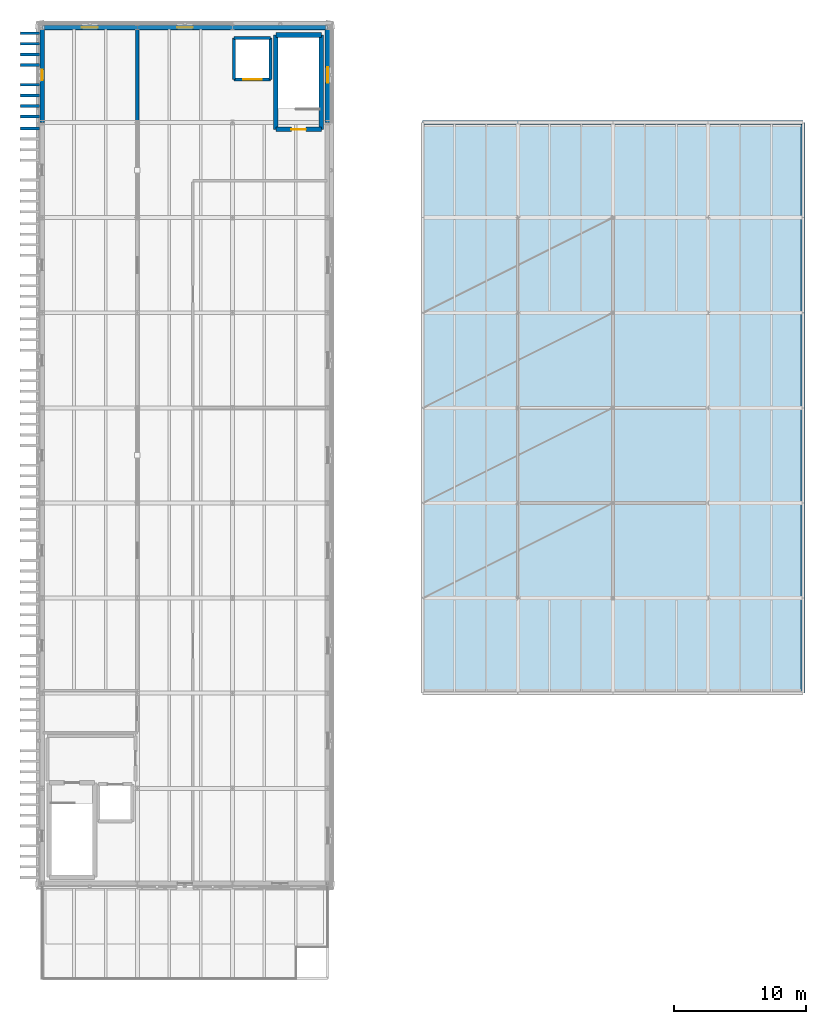
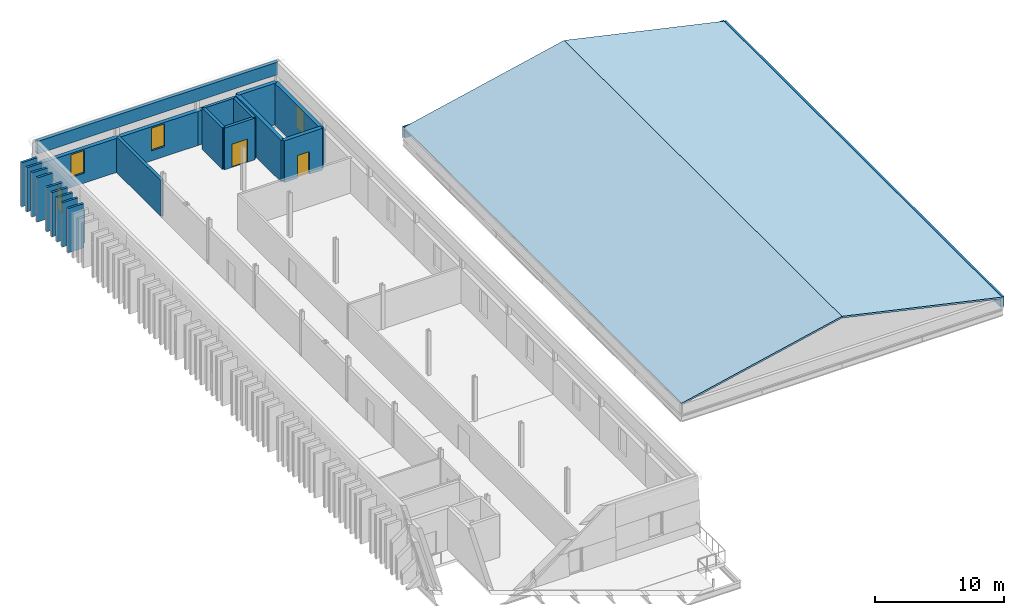
# One storey, part 34 of 44: 26 walls, 4 windows, 2 doors, 2 roofs, 6 openings.
"""IFC4 building model written with IfcOpenShell, lengths in metres."""

from ifc_helpers import new_model, si_unit, direction, frame, frame_2d, origin, place, context, subcontext, project, spatial, polyline, rectangle, outline, extrude, material, layer, layer_set, type_object, element, fill, save


model = new_model("IFC4")

# Units and contexts
model_context = context("Model", 3, precision=1e-05, world=origin(), true_north=direction((0.0, 1.0)))
body_context = subcontext(model_context, "Body", "Model", "MODEL_VIEW")
ifc_project = project(units=[si_unit("LENGTHUNIT", "METRE"), si_unit("AREAUNIT", "SQUARE_METRE"), si_unit("VOLUMEUNIT", "CUBIC_METRE"), si_unit("PLANEANGLEUNIT", "RADIAN"), si_unit("MASSUNIT", "GRAM", prefix="KILO")], contexts=[model_context])

# Site, building, storey
site_placement = place(None, origin())
site = spatial("IfcSite", under=ifc_project, at=site_placement, CompositionType="ELEMENT")
building_placement = place(site_placement, origin())
building = spatial("IfcBuilding", under=site, at=building_placement, Name="Narikvali Park Central Library", CompositionType="ELEMENT")
storey_placement = place(building_placement, frame((0.0, 0.0, 22.800048828125)))
storey = spatial("IfcBuildingStorey", under=building, at=storey_placement, Name="L05", CompositionType="ELEMENT", Elevation=22.800048828125)

# Walls
ifc_material_1 = material(Name="Kiln-Fired Terracotta Red Brick Masonry", Category="masonry")
ifc_layer_1 = layer(ifc_material_1, 0.199951171875, Name="Kiln-Fired Terracotta Red Brick Masonry")
ifc_layer_set_1 = layer_set([ifc_layer_1], Name="Kiln-Fired Terracotta Red Brick Masonry")
wall_type_1 = type_object("IfcWallType", Name="Kiln-Fired Red Brick Vertical Fin Wall 200", PredefinedType="SOLIDWALL", material=ifc_layer_set_1)
for number, where, z_axis, x_axis, name in (
    (1, (-1.659912109375, 100.35009765625, 0.0), (0.0, 0.0, 1.0), (1.0, 0.0, 0.0), "West Stacks Red Brick Vertical Fin Pier 456"),
    (2, (-1.659912109375, 101.25, 0.0), (0.0, 0.0, 1.0), (1.0, 0.0, 0.0), "West Stacks Red Brick Vertical Fin Pier 462"),
    (3, (-1.659912109375, 102.050048828125, 0.0), (0.0, 0.0, 1.0), (1.0, 0.0, 0.0), "West Stacks Red Brick Vertical Fin Pier 468"),
    (4, (-1.659912109375, 102.85009765625, 0.0), (0.0, 0.0, 1.0), (1.0, 0.0, 0.0), "West Stacks Red Brick Vertical Fin Pier 474"),
    (5, (-1.659912109375, 103.64990234375, 0.0), (0.0, 0.0, 1.0), (1.0, 0.0, 0.0), "West Stacks Red Brick Vertical Fin Pier 480"),
    (6, (-1.659912109375, 105.14990234375, 0.0), (0.0, 0.0, 1.0), (1.0, 0.0, 0.0), "West Stacks Red Brick Vertical Fin Pier 486"),
    (7, (-1.659912109375, 105.949951171875, 0.0), (0.0, 0.0, 1.0), (1.0, 0.0, 0.0), "West Stacks Red Brick Vertical Fin Pier 492"),
    (8, (-1.659912109375, 106.75, 0.0), (0.0, 0.0, 1.0), (1.0, 0.0, 0.0), "West Stacks Red Brick Vertical Fin Pier 498"),
    (9, (-1.659912109375, 107.550048828125, 0.0), (0.0, 0.0, 1.0), (1.0, 0.0, 0.0), "West Stacks Red Brick Vertical Fin Pier 504"),
):
    element("IfcWall", number, at=place(storey_placement, frame(where, z_axis=z_axis, x_axis=x_axis)), inside=storey, type_object=wall_type_1, Name=name, PredefinedType="SOLIDWALL", context=body_context, shape_type="SweptSolid", body=[
        extrude(rectangle(XDim=1.43994140625, YDim=0.199951171875, at=frame_2d((0.719970703125, 0.0))), origin(), (0.0, 0.0, 1.0), 4.199951171875),
    ])
ifc_material_2 = material(Name="White Honed Limestone over Concrete C35/45", Category="masonry")
ifc_layer_2 = layer(ifc_material_2, 0.300048828125, Name="White Honed Limestone over Concrete C35/45")
ifc_layer_set_2 = layer_set([ifc_layer_2], Name="White Honed Limestone over Concrete C35/45")
wall_type_2 = type_object("IfcWallType", Name="Limestone Coping Parapet Wall 300", PredefinedType="PARAPET", material=ifc_layer_set_2)
wall_1_placement = place(storey_placement, frame((57.60009765625, 57.60009765625, 0.0), z_axis=(0.0, 0.0, 1.0), x_axis=(0.0, 1.0, 0.0)))
element("IfcWall", 10, at=wall_1_placement, inside=storey, type_object=wall_type_2, Name="V4 L05 Roof Limestone Parapet E", PredefinedType="PARAPET", context=body_context, shape_type="SweptSolid", body=[
    extrude(rectangle(XDim=43.199951171875, YDim=0.300048828125, at=frame_2d((21.60009765625, 0.0))), origin(), (0.0, 0.0, 1.0), 0.949951171875),
])
wall_2_placement = place(storey_placement, frame((57.60009765625, 100.800048828125, 0.0), z_axis=(0.0, 0.0, 1.0), x_axis=(-1.0, 0.0, 0.0)))
element("IfcWall", 11, at=wall_2_placement, inside=storey, type_object=wall_type_2, Name="V4 L05 Roof Limestone Parapet N", PredefinedType="PARAPET", context=body_context, shape_type="SweptSolid", body=[
    extrude(rectangle(XDim=28.800048828125, YDim=0.300048828125, at=frame_2d((14.39990234375, 0.0))), origin(), (0.0, 0.0, 1.0), 0.949951171875),
])
wall_3_placement = place(storey_placement, frame((21.60009765625, 108.0, 4.199951171875), z_axis=(0.0, 0.0, 1.0), x_axis=(-1.0, 0.0, 0.0)))
element("IfcWall", 12, at=wall_3_placement, inside=storey, type_object=wall_type_2, Name="V5 Roof Roof Limestone Parapet N", PredefinedType="PARAPET", context=body_context, shape_type="SweptSolid", body=[
    extrude(rectangle(XDim=21.60009765625, YDim=0.300048828125, at=frame_2d((10.800048828125, 0.0))), origin(), (0.0, 0.0, 1.0), 1.199951171875),
])
ifc_material_3 = material(Name="High-Density Concrete Blockwork C35/45", Category="masonry")
ifc_layer_3 = layer(ifc_material_3, 0.27001953125, Name="High-Density Concrete Blockwork C35/45")
ifc_layer_set_3 = layer_set([ifc_layer_3], Name="High-Density Concrete Blockwork C35/45")
wall_type_3 = type_object("IfcWallType", Name="Rare Books Vault Partition Wall 270", PredefinedType="SOLIDWALL", material=ifc_layer_set_3)
wall_4_placement = place(storey_placement, frame((7.199951171875, 100.964111328125, 0.0), z_axis=(0.0, 0.0, 1.0), x_axis=(0.0, 1.0, 0.0)))
element("IfcWall", 13, at=wall_4_placement, inside=storey, type_object=wall_type_3, Name="Rare Books Climate Vault L05 Partition E", PredefinedType="SOLIDWALL", context=body_context, shape_type="SweptSolid", body=[
    extrude(rectangle(XDim=6.871826171875, YDim=0.27001953125, at=frame_2d((3.43603515625, 0.0))), origin(), (0.0, 0.0, 1.0), 3.405029296875),
])

# Wall, opening, door
ifc_material_4 = material(Name="Concrete C40/50", Category="concrete")
ifc_layer_4 = layer(ifc_material_4, 0.35009765625, Name="Concrete C40/50")
ifc_layer_set_4 = layer_set([ifc_layer_4], Name="Concrete C40/50")
wall_type_4 = type_object("IfcWallType", Name="Reinforced Concrete Core Shear Wall 350", PredefinedType="SHEAR", material=ifc_layer_set_4)
wall_5_placement = place(storey_placement, frame((17.679931640625, 100.280029296875, 0.0), z_axis=(0.0, 0.0, 1.0), x_axis=(1.0, 0.0, 0.0)))
wall_5 = element("IfcWall", 14, at=wall_5_placement, inside=storey, type_object=wall_type_4, Name="C5B L05 Stair Core Shear Wall S", PredefinedType="SHEAR", context=body_context, shape_type="SweptSolid", body=[
    extrude(rectangle(XDim=3.440185546875, YDim=0.35009765625, at=frame_2d((1.72021484375, 0.0))), origin(), (0.0, 0.0, 1.0), 3.9599609375),
])
opening_1_placement = place(wall_5_placement, frame((1.169921875, 0.0, 0.0)))
opening_1 = element("IfcOpeningElement", 15, at=opening_1_placement, cuts=wall_5, Name="Opening SD-056", PredefinedType="OPENING", context=body_context, shape_type="SweptSolid", body=[
    extrude(rectangle(XDim=1.10009765625, YDim=2.14990234375, at=frame_2d((0.550048828125, 1.074951171875))), frame((0.0, 0.18701171875, 0.0), z_axis=(0.0, -1.0, 0.0), x_axis=(1.0, 0.0, 0.0)), (0.0, 0.0, 1.0), 0.3740234375),
])
ifc_material_5 = material(Name="Powder-Coated Steel S275 Fire Leaf", Category="steel")
door_type_1 = type_object("IfcDoorType", Name="Stair Core Smoke-Control Fire Door 1100x2150", OperationType="SINGLE_SWING_LEFT", PredefinedType="DOOR", material=ifc_material_5)
door_1_placement = place(opening_1_placement, frame((1.10009765625, 0.0, 0.0), z_axis=(0.0, 0.0, 1.0), x_axis=(-1.0, 0.0, 0.0)))
door_1 = element("IfcDoor", 16, at=door_1_placement, inside=storey, type_object=door_type_1, Name="ST-10 L05 Stair Exit Door SD-056", OperationType="SINGLE_SWING_RIGHT", OverallHeight=2.14990234375, OverallWidth=1.10009765625, PredefinedType="DOOR", context=body_context, shape_type="SweptSolid", body=[
    extrude(rectangle(XDim=1.10009765625, YDim=2.14990234375, at=frame_2d((0.550048828125, 1.074951171875))), frame((0.0, 0.02490234375, 0.0), z_axis=(0.0, -1.0, 0.0), x_axis=(1.0, 0.0, 0.0)), (0.0, 0.0, 1.0), 0.050048828125),
])
fill(opening_1, door_1)

# Walls
wall_6_placement = place(storey_placement, frame((21.1201171875, 100.280029296875, 0.0), z_axis=(0.0, 0.0, 1.0), x_axis=(0.0, 1.0, 0.0)))
element("IfcWall", 17, at=wall_6_placement, inside=storey, type_object=wall_type_4, Name="C5B L05 Stair Core Shear Wall E", PredefinedType="SHEAR", context=body_context, shape_type="SweptSolid", body=[
    extrude(rectangle(XDim=7.139892578125, YDim=0.35009765625, at=frame_2d((3.56982421875, 0.0))), origin(), (0.0, 0.0, 1.0), 3.9599609375),
])
wall_7_placement = place(storey_placement, frame((21.1201171875, 107.419921875, 0.0), z_axis=(0.0, 0.0, 1.0), x_axis=(-1.0, 0.0, 0.0)))
element("IfcWall", 18, at=wall_7_placement, inside=storey, type_object=wall_type_4, Name="C5B L05 Stair Core Shear Wall N", PredefinedType="SHEAR", context=body_context, shape_type="SweptSolid", body=[
    extrude(rectangle(XDim=3.440185546875, YDim=0.35009765625, at=frame_2d((1.72021484375, 0.0))), origin(), (0.0, 0.0, 1.0), 3.9599609375),
])
wall_8_placement = place(storey_placement, frame((17.679931640625, 107.419921875, 0.0), z_axis=(0.0, 0.0, 1.0), x_axis=(0.0, -1.0, 0.0)))
element("IfcWall", 19, at=wall_8_placement, inside=storey, type_object=wall_type_4, Name="C5B L05 Stair Core Shear Wall W", PredefinedType="SHEAR", context=body_context, shape_type="SweptSolid", body=[
    extrude(rectangle(XDim=7.139892578125, YDim=0.35009765625, at=frame_2d((3.56982421875, 0.0))), origin(), (0.0, 0.0, 1.0), 3.9599609375),
])

# Wall, opening, door
ifc_layer_5 = layer(ifc_material_4, 0.25, Name="Concrete C40/50")
ifc_layer_set_5 = layer_set([ifc_layer_5], Name="Concrete C40/50")
wall_type_5 = type_object("IfcWallType", Name="Reinforced Concrete Lift Shaft Wall 250", PredefinedType="SHEAR", material=ifc_layer_set_5)
wall_9_placement = place(storey_placement, frame((14.52001953125, 104.050048828125, 0.0), z_axis=(0.0, 0.0, 1.0), x_axis=(1.0, 0.0, 0.0)))
wall_9 = element("IfcWall", 20, at=wall_9_placement, inside=storey, type_object=wall_type_5, Name="GL-02 L05 Lift Shaft Wall S", PredefinedType="SHEAR", context=body_context, shape_type="SweptSolid", body=[
    extrude(rectangle(XDim=2.75, YDim=0.25, at=frame_2d((1.375, 0.0))), origin(), (0.0, 0.0, 1.0), 3.9599609375),
])
opening_2_placement = place(wall_9_placement, frame((0.675048828125, 0.0, 0.0)))
opening_2 = element("IfcOpeningElement", 21, at=opening_2_placement, cuts=wall_9, Name="Opening LD-047", PredefinedType="OPENING", context=body_context, shape_type="SweptSolid", body=[
    extrude(rectangle(XDim=1.39990234375, YDim=2.199951171875, at=frame_2d((0.699951171875, 1.10009765625))), frame((0.0, 0.136962890625, 0.0), z_axis=(0.0, -1.0, 0.0), x_axis=(1.0, 0.0, 0.0)), (0.0, 0.0, 1.0), 0.27392578125),
])
ifc_material_6 = material(Name="Brushed Stainless Steel S355", Category="steel")
door_type_2 = type_object("IfcDoorType", Name="Book Goods Lift Sliding Landing Door 1400x2200", OperationType="DOUBLE_DOOR_SLIDING", PredefinedType="DOOR", material=ifc_material_6)
door_2_placement = place(opening_2_placement, origin())
door_2 = element("IfcDoor", 22, at=door_2_placement, inside=storey, type_object=door_type_2, Name="GL-02 L05 Lift Landing Sliding Door LD-047", OperationType="DOUBLE_DOOR_SLIDING", OverallHeight=2.199951171875, OverallWidth=1.39990234375, PredefinedType="DOOR", context=body_context, shape_type="SweptSolid", body=[
    extrude(rectangle(XDim=1.39990234375, YDim=2.199951171875, at=frame_2d((0.699951171875, 1.10009765625))), frame((0.0, 0.02490234375, 0.0), z_axis=(0.0, -1.0, 0.0), x_axis=(1.0, 0.0, 0.0)), (0.0, 0.0, 1.0), 0.050048828125),
])
fill(opening_2, door_2)

# Walls
wall_10_placement = place(storey_placement, frame((17.27001953125, 104.050048828125, 0.0), z_axis=(0.0, 0.0, 1.0), x_axis=(0.0, 1.0, 0.0)))
element("IfcWall", 23, at=wall_10_placement, inside=storey, type_object=wall_type_5, Name="GL-02 L05 Lift Shaft Wall E", PredefinedType="SHEAR", context=body_context, shape_type="SweptSolid", body=[
    extrude(rectangle(XDim=3.14990234375, YDim=0.25, at=frame_2d((1.574951171875, 0.0))), origin(), (0.0, 0.0, 1.0), 3.9599609375),
])
wall_11_placement = place(storey_placement, frame((17.27001953125, 107.199951171875, 0.0), z_axis=(0.0, 0.0, 1.0), x_axis=(-1.0, 0.0, 0.0)))
element("IfcWall", 24, at=wall_11_placement, inside=storey, type_object=wall_type_5, Name="GL-02 L05 Lift Shaft Wall N", PredefinedType="SHEAR", context=body_context, shape_type="SweptSolid", body=[
    extrude(rectangle(XDim=2.75, YDim=0.25, at=frame_2d((1.375, 0.0))), origin(), (0.0, 0.0, 1.0), 3.9599609375),
])
wall_12_placement = place(storey_placement, frame((14.52001953125, 107.199951171875, 0.0), z_axis=(0.0, 0.0, 1.0), x_axis=(0.0, -1.0, 0.0)))
element("IfcWall", 25, at=wall_12_placement, inside=storey, type_object=wall_type_5, Name="GL-02 L05 Lift Shaft Wall W", PredefinedType="SHEAR", context=body_context, shape_type="SweptSolid", body=[
    extrude(rectangle(XDim=3.14990234375, YDim=0.25, at=frame_2d((1.574951171875, 0.0))), origin(), (0.0, 0.0, 1.0), 3.9599609375),
])

# Wall, opening, window
ifc_layer_6 = layer(ifc_material_2, 0.360107421875, Name="White Honed Limestone over Concrete C35/45")
ifc_layer_set_6 = layer_set([ifc_layer_6], Name="White Honed Limestone over Concrete C35/45")
wall_type_6 = type_object("IfcWallType", Name="White Limestone Attic Clerestory Wall 360", PredefinedType="SOLIDWALL", material=ifc_layer_set_6)
wall_13_placement = place(storey_placement, frame((21.60009765625, 100.800048828125, 0.0), z_axis=(0.0, 0.0, 1.0), x_axis=(0.0, 1.0, 0.0)))
wall_13 = element("IfcWall", 26, at=wall_13_placement, inside=storey, type_object=wall_type_6, Name="V5 L05 E Exterior Limestone Wall B09", PredefinedType="SOLIDWALL", context=body_context, shape_type="SweptSolid", body=[
    extrude(rectangle(XDim=7.035888671875, YDim=0.360107421875, at=frame_2d((3.51806640625, 0.0))), origin(), (0.0, 0.0, 1.0), 3.239990234375),
])
opening_3_placement = place(wall_13_placement, frame((3.0, 0.0, 0.949951171875)))
opening_3 = element("IfcOpeningElement", 27, at=opening_3_placement, cuts=wall_13, Name="Opening WIN-0336", PredefinedType="OPENING", context=body_context, shape_type="SweptSolid", body=[
    extrude(rectangle(XDim=1.199951171875, YDim=2.14990234375, at=frame_2d((0.60009765625, 1.074951171875))), frame((0.0, 0.19189453125, 0.0), z_axis=(0.0, -1.0, 0.0), x_axis=(1.0, 0.0, 0.0)), (0.0, 0.0, 1.0), 0.384033203125),
])
ifc_material_7 = material(Name="Anodised Bronze Aluminium and Low-E Triple Glazing", Category="aluminium")
window_type_1 = type_object("IfcWindowType", Name="Stacks Archive Deep-Reveal Punched Window 1200x2150", PartitioningType="SINGLE_PANEL", PredefinedType="WINDOW", material=ifc_material_7)
window_1_placement = place(opening_3_placement, origin())
window_1 = element("IfcWindow", 28, at=window_1_placement, inside=storey, type_object=window_type_1, Name="V5 L05 E Deep-Reveal Window WIN-0336", OverallHeight=2.14990234375, OverallWidth=1.199951171875, PartitioningType="SINGLE_PANEL", PredefinedType="WINDOW", context=body_context, shape_type="SweptSolid", body=[
    extrude(rectangle(XDim=1.199951171875, YDim=2.14990234375, at=frame_2d((0.60009765625, 1.074951171875))), frame((0.0, 0.030029296875, 0.0), z_axis=(0.0, -1.0, 0.0), x_axis=(1.0, 0.0, 0.0)), (0.0, 0.0, 1.0), 0.06005859375),
])
fill(opening_3, window_1)

# Wall
wall_14_placement = place(storey_placement, frame((21.446044921875, 108.0, 0.0), z_axis=(0.0, 0.0, 1.0), x_axis=(-1.0, 0.0, 0.0)))
element("IfcWall", 29, at=wall_14_placement, inside=storey, type_object=wall_type_6, Name="V5 L05 N Exterior Limestone Wall B01", PredefinedType="SOLIDWALL", context=body_context, shape_type="SweptSolid", body=[
    extrude(rectangle(XDim=7.046142578125, YDim=0.360107421875, at=frame_2d((3.52294921875, 0.0))), origin(), (0.0, 0.0, 1.0), 3.239990234375),
])

# Wall, opening, window
wall_15_placement = place(storey_placement, frame((14.39990234375, 108.0, 0.0), z_axis=(0.0, 0.0, 1.0), x_axis=(-1.0, 0.0, 0.0)))
wall_15 = element("IfcWall", 30, at=wall_15_placement, inside=storey, type_object=wall_type_6, Name="V5 L05 N Exterior Limestone Wall B02", PredefinedType="SOLIDWALL", context=body_context, shape_type="SweptSolid", body=[
    extrude(rectangle(XDim=7.199951171875, YDim=0.360107421875, at=frame_2d((3.60009765625, 0.0))), origin(), (0.0, 0.0, 1.0), 3.239990234375),
])
opening_4_placement = place(wall_15_placement, frame((3.0, 0.0, 0.949951171875)))
opening_4 = element("IfcOpeningElement", 31, at=opening_4_placement, cuts=wall_15, Name="Opening WIN-0337", PredefinedType="OPENING", context=body_context, shape_type="SweptSolid", body=[
    extrude(rectangle(XDim=1.199951171875, YDim=2.14990234375, at=frame_2d((0.60009765625, 1.074951171875))), frame((0.0, 0.19189453125, 0.0), z_axis=(0.0, -1.0, 0.0), x_axis=(1.0, 0.0, 0.0)), (0.0, 0.0, 1.0), 0.384033203125),
])
window_2_placement = place(opening_4_placement, origin())
window_2 = element("IfcWindow", 32, at=window_2_placement, inside=storey, type_object=window_type_1, Name="V5 L05 N Deep-Reveal Window WIN-0337", OverallHeight=2.14990234375, OverallWidth=1.199951171875, PartitioningType="SINGLE_PANEL", PredefinedType="WINDOW", context=body_context, shape_type="SweptSolid", body=[
    extrude(rectangle(XDim=1.199951171875, YDim=2.14990234375, at=frame_2d((0.60009765625, 1.074951171875))), frame((0.0, 0.030029296875, 0.0), z_axis=(0.0, -1.0, 0.0), x_axis=(1.0, 0.0, 0.0)), (0.0, 0.0, 1.0), 0.06005859375),
])
fill(opening_4, window_2)

wall_16_placement = place(storey_placement, frame((7.199951171875, 108.0, 0.0), z_axis=(0.0, 0.0, 1.0), x_axis=(-1.0, 0.0, 0.0)))
wall_16 = element("IfcWall", 33, at=wall_16_placement, inside=storey, type_object=wall_type_6, Name="V5 L05 N Exterior Limestone Wall B03", PredefinedType="SOLIDWALL", context=body_context, shape_type="SweptSolid", body=[
    extrude(rectangle(XDim=7.0458984375, YDim=0.360107421875, at=frame_2d((3.52294921875, 0.0))), origin(), (0.0, 0.0, 1.0), 3.239990234375),
])
opening_5_placement = place(wall_16_placement, frame((3.0, 0.0, 0.949951171875)))
opening_5 = element("IfcOpeningElement", 34, at=opening_5_placement, cuts=wall_16, Name="Opening WIN-0338", PredefinedType="OPENING", context=body_context, shape_type="SweptSolid", body=[
    extrude(rectangle(XDim=1.199951171875, YDim=2.14990234375, at=frame_2d((0.60009765625, 1.074951171875))), frame((0.0, 0.19189453125, 0.0), z_axis=(0.0, -1.0, 0.0), x_axis=(1.0, 0.0, 0.0)), (0.0, 0.0, 1.0), 0.384033203125),
])
window_3_placement = place(opening_5_placement, origin())
window_3 = element("IfcWindow", 35, at=window_3_placement, inside=storey, type_object=window_type_1, Name="V5 L05 N Deep-Reveal Window WIN-0338", OverallHeight=2.14990234375, OverallWidth=1.199951171875, PartitioningType="SINGLE_PANEL", PredefinedType="WINDOW", context=body_context, shape_type="SweptSolid", body=[
    extrude(rectangle(XDim=1.199951171875, YDim=2.14990234375, at=frame_2d((0.60009765625, 1.074951171875))), frame((0.0, 0.030029296875, 0.0), z_axis=(0.0, -1.0, 0.0), x_axis=(1.0, 0.0, 0.0)), (0.0, 0.0, 1.0), 0.06005859375),
])
fill(opening_5, window_3)

wall_17_placement = place(storey_placement, frame((0.0, 107.8359375, 0.0), z_axis=(0.0, 0.0, 1.0), x_axis=(0.0, -1.0, 0.0)))
wall_17 = element("IfcWall", 36, at=wall_17_placement, inside=storey, type_object=wall_type_6, Name="V5 L05 W Exterior Limestone Wall B01", PredefinedType="SOLIDWALL", context=body_context, shape_type="SweptSolid", body=[
    extrude(rectangle(XDim=7.035888671875, YDim=0.360107421875, at=frame_2d((3.51806640625, 0.0))), origin(), (0.0, 0.0, 1.0), 3.079833984375),
])
opening_6_placement = place(wall_17_placement, frame((3.035888671875, 0.0, 0.949951171875)))
opening_6 = element("IfcOpeningElement", 37, at=opening_6_placement, cuts=wall_17, Name="Opening WIN-0339", PredefinedType="OPENING", context=body_context, shape_type="SweptSolid", body=[
    extrude(rectangle(XDim=0.800048828125, YDim=2.14990234375, at=frame_2d((0.39990234375, 1.074951171875))), frame((0.0, 0.19189453125, 0.0), z_axis=(0.0, -1.0, 0.0), x_axis=(1.0, 0.0, 0.0)), (0.0, 0.0, 1.0), 0.384033203125),
])
window_type_2 = type_object("IfcWindowType", Name="West Fin-Bay Narrow Carrel Slot Window 800x2150", PartitioningType="SINGLE_PANEL", PredefinedType="WINDOW", material=ifc_material_7)
window_4_placement = place(opening_6_placement, origin())
window_4 = element("IfcWindow", 38, at=window_4_placement, inside=storey, type_object=window_type_2, Name="V5 L05 W Deep-Reveal Window WIN-0339", OverallHeight=2.14990234375, OverallWidth=0.800048828125, PartitioningType="SINGLE_PANEL", PredefinedType="WINDOW", context=body_context, shape_type="SweptSolid", body=[
    extrude(rectangle(XDim=0.800048828125, YDim=2.14990234375, at=frame_2d((0.39990234375, 1.074951171875))), frame((0.0, 0.030029296875, 0.0), z_axis=(0.0, -1.0, 0.0), x_axis=(1.0, 0.0, 0.0)), (0.0, 0.0, 1.0), 0.06005859375),
])
fill(opening_6, window_4)

# Roofs
ifc_material_8 = material(Name="Standing-seam zinc over Steel S355 deck", Category="steel")
ifc_layer_7 = layer(ifc_material_8, 0.159912109375, Name="Standing-seam zinc over Steel S355 deck")
ifc_layer_set_7 = layer_set([ifc_layer_7], Name="Standing-seam zinc over Steel S355 deck")
roof_type = type_object("IfcRoofType", Name="Standing Seam Zinc Hipped Roof 160", PredefinedType="HIP_ROOF", material=ifc_layer_set_7)
roof_1_placement = place(storey_placement, frame((28.800048828125, 57.60009765625, 0.93994140625), z_axis=(-0.217575204675, 0.0, 0.976043559638), x_axis=(0.976043559638, 0.0, 0.217575204675)))
element("IfcRoof", 39, at=roof_1_placement, inside=storey, type_object=roof_type, Name="V4 Standing Seam Zinc Roof West Slope", PredefinedType="HIP_ROOF", context=body_context, shape_type="SweptSolid", body=[
    extrude(outline(polyline([(0.0, 0.0), (14.753339850007274, 0.0), (14.753339850007274, 43.199951171875), (0.0, 43.199951171875), (0.0, 0.0)])), origin(), (0.0, 0.0, -1.0), 0.159912109375),
])
roof_2_placement = place(storey_placement, frame((43.199951171875, 57.60009765625, 4.14990234375), z_axis=(0.217571690515, 0.0, 0.976044342992), x_axis=(0.976044342992, 0.0, -0.217571690515)))
element("IfcRoof", 40, at=roof_2_placement, inside=storey, type_object=roof_type, Name="V4 Standing Seam Zinc Roof East Slope", PredefinedType="HIP_ROOF", context=body_context, shape_type="SweptSolid", body=[
    extrude(outline(polyline([(0.0, 0.0), (14.753578141987576, 0.0), (14.753578141987576, 43.199951171875), (0.0, 43.199951171875), (0.0, 0.0)])), origin(), (0.0, 0.0, -1.0), 0.159912109375),
])

save(model, "model.ifc")
